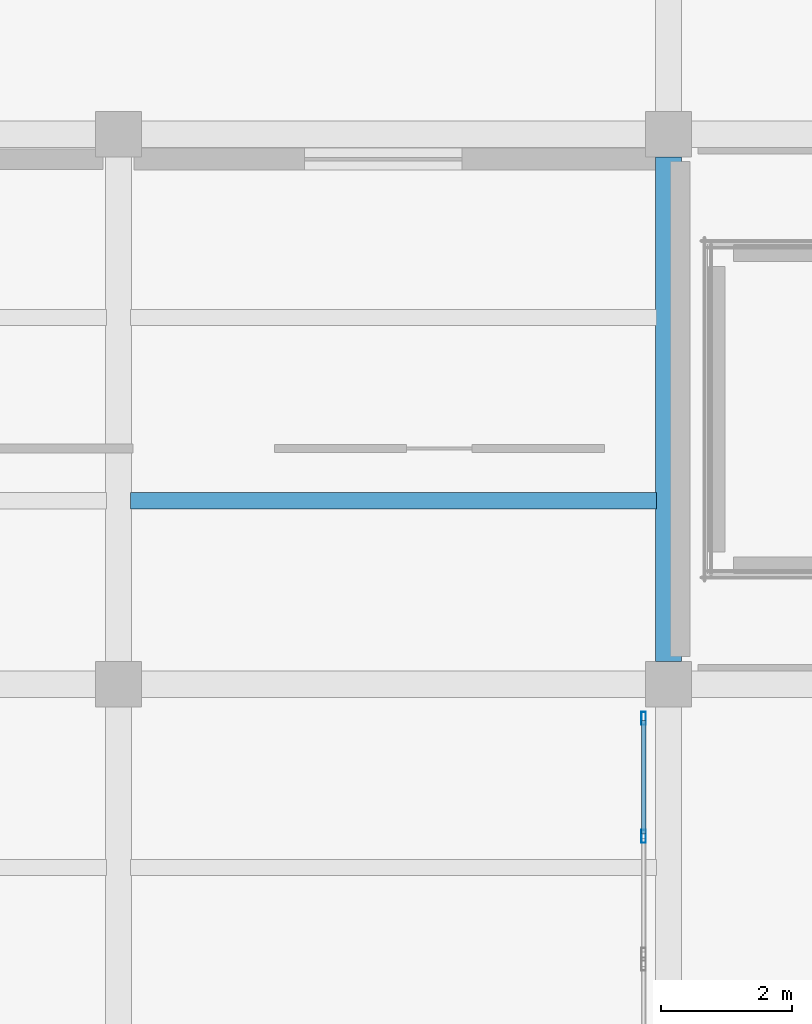
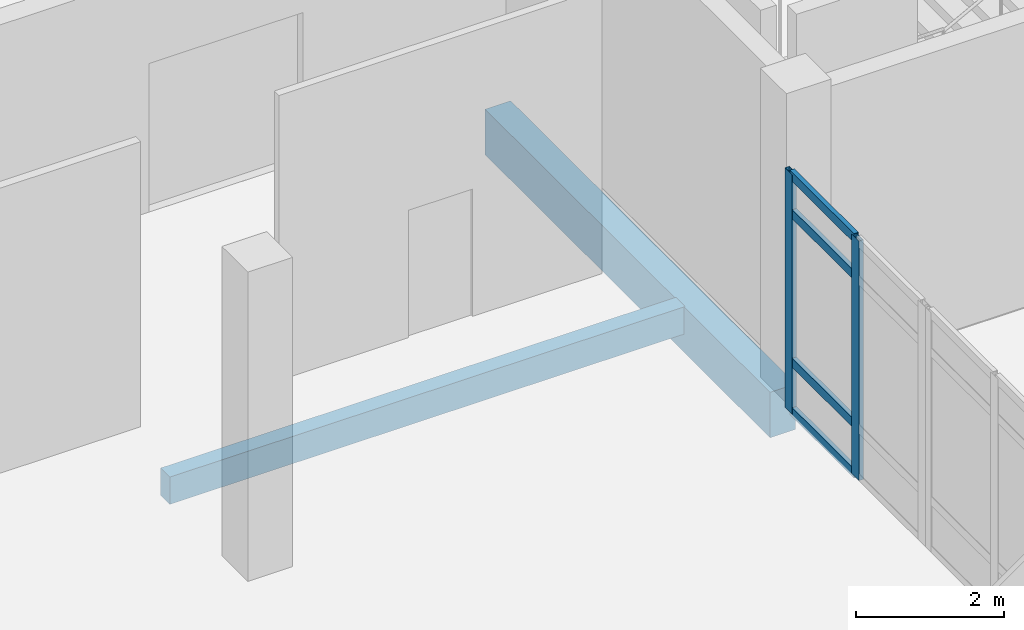
# One storey, part 12 of 64: 6 members, 2 beams, 1 element without a shape of its own.
"""IFC4 building model written with IfcOpenShell, lengths in metres."""

import ifcopenshell
import ifcopenshell.guid

model = None  # the IFC model being written
_history = None  # IfcOwnerHistory: only IFC2X3 demands one
_inside = {}  # id of a spatial element -> (the spatial element, [elements in it])
_under = {}  # id of a project, library or spatial element -> (it, [spatial elements below it])
_declared = {}  # id of a project -> (the project, [libraries it declares])
_typed = {}  # id of a type object -> (the type object, [elements of that type])
_made_of = {}  # id of a material, layer set ... -> (it, [elements and type objects made of it])


def new_model(schema):
    """Start an empty IFC model of exactly this schema.

    Asked for "IFC4X3", IfcOpenShell would pick the latest addendum, in which some entities
    have other attributes; the version numbers below select the first issue.
    IFC2X3 requires an IfcOwnerHistory on every rooted entity: one is made here for all.
    """
    global model, _history
    if schema == "IFC4X3":
        model = ifcopenshell.file(schema_version=(4, 3, 0, 0))
    else:
        model = ifcopenshell.file(schema=schema)
    _inside.clear()
    _under.clear()
    _declared.clear()
    _typed.clear()
    _made_of.clear()
    _history = None
    if model.schema == "IFC2X3":
        org = make("IfcOrganization", Name="unknown")
        user = make(
            "IfcPersonAndOrganization",
            ThePerson=make("IfcPerson", FamilyName="unknown"),
            TheOrganization=org,
        )
        app = make(
            "IfcApplication",
            ApplicationDeveloper=org,
            Version="unknown",
            ApplicationFullName="unknown",
            ApplicationIdentifier="unknown",
        )
        _history = make(
            "IfcOwnerHistory",
            OwningUser=user,
            OwningApplication=app,
            ChangeAction="ADDED",
            CreationDate=0,
        )
    return model


def make(cls, **values):
    """One entity of the class cls with the attributes given. An attribute that is None is left unset."""
    return model.create_entity(
        cls, **{name: value for name, value in values.items() if value is not None}
    )


def rooted(cls, **values):
    """An entity with a GlobalId (a new one), such as an element, a storey or a relation."""
    return make(cls, GlobalId=ifcopenshell.guid.new(), OwnerHistory=_history, **values)


def si_unit(unit_type, name, prefix=None):
    """IfcSIUnit, for example si_unit("LENGTHUNIT", "METRE", prefix="MILLI")."""
    return make("IfcSIUnit", UnitType=unit_type, Prefix=prefix, Name=name)


def derived_unit(unit_type, elements):
    """IfcDerivedUnit: a product of units, each with its exponent."""
    return make(
        "IfcDerivedUnit",
        Elements=[
            make("IfcDerivedUnitElement", Unit=unit, Exponent=power)
            for unit, power in elements
        ],
        UnitType=unit_type,
    )


def assignment(units):
    """IfcUnitAssignment: the units of a project."""
    return None if units is None else make("IfcUnitAssignment", Units=units)


def point(xyz):
    """IfcCartesianPoint."""
    return None if xyz is None else make("IfcCartesianPoint", Coordinates=xyz)


def direction(xyz):
    """IfcDirection."""
    return None if xyz is None else make("IfcDirection", DirectionRatios=xyz)


def frame(location, z_axis=None, x_axis=None):
    """IfcAxis2Placement3D, a coordinate frame: its origin and axes. An axis left out is left unset."""
    return make(
        "IfcAxis2Placement3D",
        Location=point(location),
        Axis=direction(z_axis),
        RefDirection=direction(x_axis),
    )


def frame_2d(location, x_axis=None):
    """IfcAxis2Placement2D, a coordinate frame in the plane: its origin and x axis."""
    return make(
        "IfcAxis2Placement2D", Location=point(location), RefDirection=direction(x_axis)
    )


def origin():
    """The frame at (0, 0, 0) with its axes left unset."""
    return frame((0.0, 0.0, 0.0))


def origin_2d():
    """The frame at (0, 0) in the plane with its x axis left unset."""
    return frame_2d((0.0, 0.0))


def place(relative_to, where):
    """IfcLocalPlacement: puts the frame where relative to a parent placement (None: the world)."""
    return make(
        "IfcLocalPlacement", PlacementRelTo=relative_to, RelativePlacement=where
    )


def context(
    kind, dimensions, precision=None, world=None, true_north=None, identifier=None
):
    """IfcGeometricRepresentationContext, for example the 3D "Model" context."""
    return make(
        "IfcGeometricRepresentationContext",
        ContextIdentifier=identifier,
        ContextType=kind,
        CoordinateSpaceDimension=dimensions,
        Precision=precision,
        WorldCoordinateSystem=world,
        TrueNorth=true_north,
    )


def subcontext(parent, identifier, kind, view, scale=None):
    """IfcGeometricRepresentationSubContext, for example "Body" below "Model"."""
    return make(
        "IfcGeometricRepresentationSubContext",
        ContextIdentifier=identifier,
        ContextType=kind,
        ParentContext=parent,
        TargetScale=scale,
        TargetView=view,
    )


def project(units=None, contexts=None):
    """IfcProject with its units and contexts."""
    return rooted(
        "IfcProject",
        Name="project",
        RepresentationContexts=contexts,
        UnitsInContext=assignment(units),
    )


def spatial(cls, under=None, at=None, **own):
    """A site, building, storey or space (cls), placed at a placement, below another one or the project."""
    s = rooted(cls, ObjectPlacement=at, **own)
    if under is not None:
        _under.setdefault(under.id(), (under, []))[1].append(s)
    return s


def profile(cls, at=None, kind="AREA", **sizes):
    """A parametric profile (cls). Its sizes go by their IFC names, for example OverallWidth=200.0."""
    return make(cls, ProfileType=kind, Position=at, **sizes)


def rectangle(**sizes):
    """IfcRectangleProfileDef."""
    return profile("IfcRectangleProfileDef", **sizes)


def hollow_rectangle(**sizes):
    """IfcRectangleHollowProfileDef."""
    return profile("IfcRectangleHollowProfileDef", **sizes)


def extrude(swept, where, along, depth):
    """IfcExtrudedAreaSolid: the profile swept, set in the frame where, extruded along a direction by depth."""
    return make(
        "IfcExtrudedAreaSolid",
        SweptArea=swept,
        Position=where,
        ExtrudedDirection=direction(along),
        Depth=depth,
    )


def shape(context_of_items, identifier, shape_type, items):
    """IfcShapeRepresentation: the items that make up one representation, for example the "Body"."""
    return make(
        "IfcShapeRepresentation",
        ContextOfItems=context_of_items,
        RepresentationIdentifier=identifier,
        RepresentationType=shape_type,
        Items=items,
    )


def material(Name=None, Category=None):
    """IfcMaterial."""
    return make("IfcMaterial", Name=Name, Category=Category)


def layer(
    of_material, thickness, ventilated=None, Name=None, Category=None, Priority=None
):
    """IfcMaterialLayer: one layer of a wall or slab, of a material (None: an air gap)."""
    return make(
        "IfcMaterialLayer",
        Material=of_material,
        LayerThickness=thickness,
        IsVentilated=ventilated,
        Name=Name,
        Category=Category,
        Priority=Priority,
    )


def layer_set(layers, Name=None):
    """IfcMaterialLayerSet."""
    return make("IfcMaterialLayerSet", MaterialLayers=layers, LayerSetName=Name)


def material_profile(
    of_material, cross_section, Name=None, Category=None, Priority=None
):
    """IfcMaterialProfile: a cross section and its material."""
    return make(
        "IfcMaterialProfile",
        Name=Name,
        Material=of_material,
        Profile=cross_section,
        Priority=Priority,
        Category=Category,
    )


def profile_set(profiles, Name=None, composite=None):
    """IfcMaterialProfileSet."""
    return make(
        "IfcMaterialProfileSet",
        Name=Name,
        MaterialProfiles=profiles,
        CompositeProfile=composite,
    )


def made_of(thing, what):
    """Note that an element or type object is made of a material, layer set ...; save() writes the relation."""
    if what is not None:
        _made_of.setdefault(what.id(), (what, []))[1].append(thing)
    return thing


def type_object(cls, material=None, **own):
    """A type object (cls), such as IfcWallType, which elements share."""
    return made_of(rooted(cls, **own), material)


def element(
    cls,
    number,
    at=None,
    inside=None,
    cuts=None,
    type_object=None,
    material=None,
    context=None,
    identifier="Body",
    shape_type=None,
    held_by="IfcProductDefinitionShape",
    body=None,
    shapes=None,
    **own,
):
    """One element of the class cls, such as IfcWall. Its Tag is "e" and its number.

    at: its placement. inside: the storey or other place that contains it. cuts: it is an
    opening in that element (IfcRelVoidsElement). A single representation is given by context,
    identifier, shape_type and body (its items); several are given by shapes. held_by: the class
    of the entity that holds the representations. save() writes the other relations.
    """
    e = rooted(cls, Tag="e%d" % number, ObjectPlacement=at, **own)
    if body is not None:
        shapes = [shape(context, identifier, shape_type, body)]
    if shapes is not None:
        e.Representation = make(held_by, Representations=shapes)
    if inside is not None:
        _inside.setdefault(inside.id(), (inside, []))[1].append(e)
    if cuts is not None:
        rooted(
            "IfcRelVoidsElement", RelatingBuildingElement=cuts, RelatedOpeningElement=e
        )
    if type_object is not None:
        _typed.setdefault(type_object.id(), (type_object, []))[1].append(e)
    return made_of(e, material)


def aggregate(whole, parts):
    """IfcRelAggregates: a whole, such as a stair, and the parts it consists of."""
    return rooted("IfcRelAggregates", RelatingObject=whole, RelatedObjects=parts)


def save(model, path):
    """Write the relations noted so far, then the file.

    IfcRelAggregates (storeys below a building ...), IfcRelContainedInSpatialStructure (elements
    in a storey), IfcRelDefinesByType, IfcRelAssociatesMaterial and IfcRelDeclares: one each for
    every whole, place, type object, material and project.
    """
    for whole, parts in _under.values():
        aggregate(whole, parts)
    for where, things in _inside.values():
        rooted(
            "IfcRelContainedInSpatialStructure",
            RelatedElements=things,
            RelatingStructure=where,
        )
    for kind, things in _typed.values():
        rooted("IfcRelDefinesByType", RelatedObjects=things, RelatingType=kind)
    for what, things in _made_of.values():
        rooted("IfcRelAssociatesMaterial", RelatedObjects=things, RelatingMaterial=what)
    for by, libraries in _declared.values():
        rooted("IfcRelDeclares", RelatingContext=by, RelatedDefinitions=libraries)
    model.write(path)


model = new_model("IFC4")

# Units and contexts
model_context = context("Model", 3, precision=1e-05, world=origin(), true_north=direction((0.0, 1.0)))
body_context = subcontext(model_context, "Body", "Model", "MODEL_VIEW")
ifc_project = project(units=[si_unit("LENGTHUNIT", "METRE"), si_unit("AREAUNIT", "SQUARE_METRE"), si_unit("VOLUMEUNIT", "CUBIC_METRE"), si_unit("PLANEANGLEUNIT", "RADIAN"), si_unit("MASSUNIT", "GRAM", prefix="KILO"), derived_unit("THERMALTRANSMITTANCEUNIT", [(si_unit("POWERUNIT", "WATT"), 1), (si_unit("LENGTHUNIT", "METRE"), -2), (si_unit("THERMODYNAMICTEMPERATUREUNIT", "KELVIN"), -1)])], contexts=[model_context])

# Site, building, storey
site_placement = place(None, origin())
site = spatial("IfcSite", under=ifc_project, at=site_placement, CompositionType="ELEMENT")
building_placement = place(site_placement, origin())
building = spatial("IfcBuilding", under=site, at=building_placement, Name="Elbkamm Science Centre", CompositionType="ELEMENT")
storey_placement = place(building_placement, origin())
storey = spatial("IfcBuildingStorey", under=building, at=storey_placement, Name="L00", CompositionType="ELEMENT", Elevation=0.0)

# Beam
ifc_material_1 = material(Name="Concrete C40/50", Category="concrete")
ifc_material_profile_1 = material_profile(ifc_material_1, rectangle(XDim=0.39990234375, YDim=0.75, at=origin_2d()), Name="RC 400x750")
ifc_profile_set_1 = profile_set([ifc_material_profile_1], Name="Concrete C40/50")
beam_type_1 = type_object("IfcBeamType", Name="BM-RC-400x750", PredefinedType="BEAM", material=ifc_profile_set_1)
beam_1_placement = place(storey_placement, frame((126.0, 50.75, -0.675048828125), z_axis=(0.0, 1.0, 0.0), x_axis=(-1.0, 0.0, 0.0)))
element("IfcBeam", 1, at=beam_1_placement, inside=storey, type_object=beam_type_1, Name="L00 Primary Y-Girder 049", PredefinedType="BEAM", context=body_context, shape_type="SweptSolid", body=[
    extrude(rectangle(XDim=0.39990234375, YDim=0.75, at=origin_2d()), origin(), (0.0, 0.0, 1.0), 7.699951171875),
])

# Curtain wall, members
ifc_material_2 = material(Name="Powder-coated aluminium and triple low-E glazing", Category="aluminium")
ifc_layer = layer(ifc_material_2, 0.159912109375)
ifc_layer_set = layer_set([ifc_layer], Name="Powder-coated aluminium and triple low-E glazing")
curtain_wall_type = type_object("IfcCurtainWallType", Name="CW-UNIT-3680x3960", PredefinedType="USERDEFINED", material=ifc_layer_set)
curtain_wall_placement = place(storey_placement, origin())
curtain_wall = element("IfcCurtainWall", 2, at=curtain_wall_placement, inside=storey, type_object=curtain_wall_type, Name="L00 Unitised Curtain Wall 136", ObjectType="UNITISED CURTAIN WALL", PredefinedType="USERDEFINED")
ifc_material_3 = material(Name="Powder-coated aluminium EN AW-6060", Category="aluminium")
ifc_material_profile_2 = material_profile(ifc_material_3, hollow_rectangle(XDim=0.070068359375, YDim=0.199951171875, WallThickness=0.00439453125, at=origin_2d()), Name="ALU M70x200")
ifc_profile_set_2 = profile_set([ifc_material_profile_2], Name="Powder-coated aluminium EN AW-6060")
member_type_1 = type_object("IfcMemberType", Name="CW-MUL-70x200", PredefinedType="MULLION", material=ifc_profile_set_2)
member_1_placement = place(storey_placement, frame((125.6201171875, 49.878662109375, 0.0), z_axis=(0.0, 0.0, 1.0), x_axis=(1.0, 0.0, 0.0)))
member_1 = element("IfcMember", 3, at=member_1_placement, type_object=member_type_1, Name="CW-064 mullion 1", PredefinedType="MULLION", context=body_context, shape_type="SweptSolid", body=[
    extrude(hollow_rectangle(XDim=0.070068359375, YDim=0.199951171875, WallThickness=0.00439453125, at=origin_2d()), origin(), (0.0, 0.0, 1.0), 3.949951171875),
])
member_2_placement = place(storey_placement, frame((125.6201171875, 48.076904296875, 0.0), z_axis=(0.0, 0.0, 1.0), x_axis=(1.0, 0.0, 0.0)))
member_2 = element("IfcMember", 4, at=member_2_placement, type_object=member_type_1, Name="CW-064 mullion 2", PredefinedType="MULLION", context=body_context, shape_type="SweptSolid", body=[
    extrude(hollow_rectangle(XDim=0.070068359375, YDim=0.199951171875, WallThickness=0.00439453125, at=origin_2d()), origin(), (0.0, 0.0, 1.0), 3.949951171875),
])
ifc_material_profile_3 = material_profile(ifc_material_3, hollow_rectangle(XDim=0.070068359375, YDim=0.14990234375, WallThickness=0.00390625, at=origin_2d()), Name="ALU T70x150")
ifc_profile_set_3 = profile_set([ifc_material_profile_3], Name="Powder-coated aluminium EN AW-6060")
member_type_2 = type_object("IfcMemberType", Name="CW-TRN-70x150", PredefinedType="USERDEFINED", material=ifc_profile_set_3)
member_3_placement = place(storey_placement, frame((125.6201171875, 49.84375, 0.034912109375), z_axis=(0.0, -1.0, 0.0), x_axis=(1.0, 0.0, 0.0)))
member_3 = element("IfcMember", 5, at=member_3_placement, type_object=member_type_2, Name="CW-064 transom 1.1", ObjectType="TRANSOM", PredefinedType="USERDEFINED", context=body_context, shape_type="SweptSolid", body=[
    extrude(hollow_rectangle(XDim=0.070068359375, YDim=0.14990234375, WallThickness=0.00390625, at=origin_2d()), origin(), (0.0, 0.0, 1.0), 1.73193359375),
])
member_4_placement = place(storey_placement, frame((125.6201171875, 49.84375, 0.85009765625), z_axis=(0.0, -1.0, 0.0), x_axis=(1.0, 0.0, 0.0)))
member_4 = element("IfcMember", 6, at=member_4_placement, type_object=member_type_2, Name="CW-064 transom 1.2", ObjectType="TRANSOM", PredefinedType="USERDEFINED", context=body_context, shape_type="SweptSolid", body=[
    extrude(hollow_rectangle(XDim=0.070068359375, YDim=0.14990234375, WallThickness=0.00390625, at=origin_2d()), origin(), (0.0, 0.0, 1.0), 1.73193359375),
])
member_5_placement = place(storey_placement, frame((125.6201171875, 49.84375, 3.300048828125), z_axis=(0.0, -1.0, 0.0), x_axis=(1.0, 0.0, 0.0)))
member_5 = element("IfcMember", 7, at=member_5_placement, type_object=member_type_2, Name="CW-064 transom 1.3", ObjectType="TRANSOM", PredefinedType="USERDEFINED", context=body_context, shape_type="SweptSolid", body=[
    extrude(hollow_rectangle(XDim=0.070068359375, YDim=0.14990234375, WallThickness=0.00390625, at=origin_2d()), origin(), (0.0, 0.0, 1.0), 1.73193359375),
])
member_6_placement = place(storey_placement, frame((125.6201171875, 49.84375, 3.9150390625), z_axis=(0.0, -1.0, 0.0), x_axis=(1.0, 0.0, 0.0)))
member_6 = element("IfcMember", 8, at=member_6_placement, type_object=member_type_2, Name="CW-064 transom 1.4", ObjectType="TRANSOM", PredefinedType="USERDEFINED", context=body_context, shape_type="SweptSolid", body=[
    extrude(hollow_rectangle(XDim=0.070068359375, YDim=0.14990234375, WallThickness=0.00390625, at=origin_2d()), origin(), (0.0, 0.0, 1.0), 1.73193359375),
])
aggregate(curtain_wall, [member_1, member_2, member_3, member_4, member_5, member_6])

# Beam
ifc_material_profile_4 = material_profile(ifc_material_1, rectangle(XDim=0.25, YDim=0.449951171875, at=origin_2d()), Name="RC 250x450")
ifc_profile_set_4 = profile_set([ifc_material_profile_4], Name="Concrete C40/50")
beam_type_2 = type_object("IfcBeamType", Name="JST-RC-250x450", PredefinedType="JOIST", material=ifc_profile_set_4)
beam_2_placement = place(storey_placement, frame((117.780029296875, 53.199951171875, -0.52490234375), z_axis=(1.0, 0.0, 0.0), x_axis=(0.0, 1.0, 0.0)))
element("IfcBeam", 9, at=beam_2_placement, inside=storey, type_object=beam_type_2, Name="L00 Secondary Floor Joist 035", PredefinedType="JOIST", context=body_context, shape_type="SweptSolid", body=[
    extrude(rectangle(XDim=0.25, YDim=0.449951171875, at=origin_2d()), origin(), (0.0, 0.0, 1.0), 8.0400390625),
])

save(model, "model.ifc")
